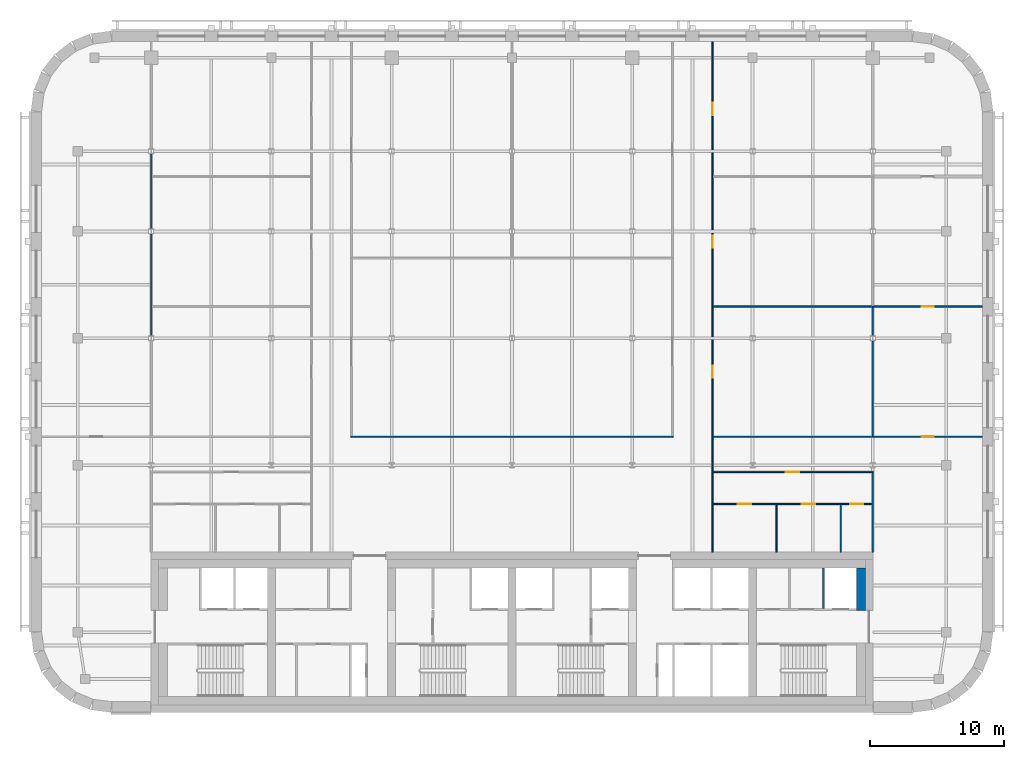
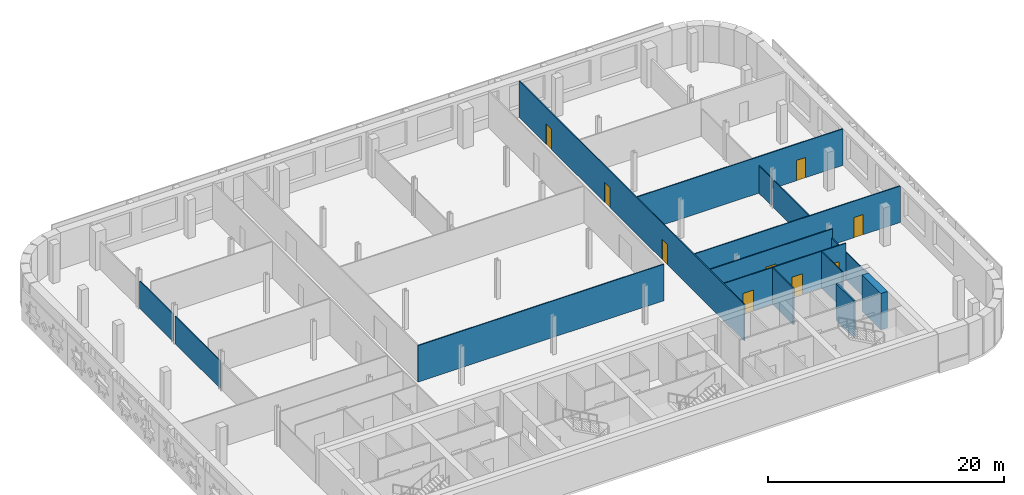
# One storey, part 9 of 16: 15 walls, 9 doors, 9 openings.
"""IFC4 building model written with IfcOpenShell, lengths in metres."""

from ifc_helpers import new_model, si_unit, direction, frame, frame_2d, origin, place, context, subcontext, project, spatial, rectangle, extrude, material, layer, layer_set, type_object, element, fill, save


model = new_model("IFC4")

# Units and contexts
model_context = context("Model", 3, precision=1e-05, world=origin(), true_north=direction((0.0, 1.0)))
body_context = subcontext(model_context, "Body", "Model", "MODEL_VIEW")
ifc_project = project(units=[si_unit("LENGTHUNIT", "METRE"), si_unit("AREAUNIT", "SQUARE_METRE"), si_unit("VOLUMEUNIT", "CUBIC_METRE"), si_unit("PLANEANGLEUNIT", "RADIAN"), si_unit("MASSUNIT", "GRAM", prefix="KILO")], contexts=[model_context])

# Site, building, storey
site_placement = place(None, origin())
site = spatial("IfcSite", under=ifc_project, at=site_placement, CompositionType="ELEMENT")
building_placement = place(site_placement, origin())
building = spatial("IfcBuilding", under=site, at=building_placement, Name="Zellij Exchange Tower", CompositionType="ELEMENT")
storey_placement = place(building_placement, frame((0.0, 0.0, 280.5)))
storey = spatial("IfcBuildingStorey", under=building, at=storey_placement, Name="L66", CompositionType="ELEMENT", Elevation=280.5)

# Walls
ifc_material_1 = material(Name="Concrete C30/37", Category="concrete")
ifc_layer_1 = layer(ifc_material_1, 0.64990234375)
ifc_layer_set_1 = layer_set([ifc_layer_1], Name="Concrete C30/37")
wall_type_1 = type_object("IfcWallType", Name="CORE-LW 650 C30/37", PredefinedType="SHEAR", material=ifc_layer_set_1)
wall_1_placement = place(storey_placement, frame((26.125, -6.375, 0.0), z_axis=(0.0, 0.0, 1.0), x_axis=(0.0, 1.0, 0.0)))
element("IfcWall", 1, at=wall_1_placement, inside=storey, type_object=wall_type_1, Name="Core wall lining end e.1 L66", PredefinedType="SHEAR", context=body_context, shape_type="SweptSolid", body=[
    extrude(rectangle(XDim=3.175048828125, YDim=0.64990234375, at=frame_2d((1.58740234375, 0.0))), origin(), (0.0, 0.0, 1.0), 3.780029296875),
])
ifc_material_2 = material(Name="Gypsum shaft wall system")
ifc_layer_2 = layer(ifc_material_2, 0.14990234375)
ifc_layer_set_2 = layer_set([ifc_layer_2], Name="Gypsum shaft wall system")
wall_type_2 = type_object("IfcWallType", Name="CORE-PW 150 Lift shaft wall", PredefinedType="PARTITIONING", material=ifc_layer_set_2)
wall_2_placement = place(storey_placement, frame((23.324951171875, -6.22509765625, 0.0), z_axis=(0.0, 0.0, 1.0), x_axis=(0.0, 1.0, 0.0)))
element("IfcWall", 2, at=wall_2_placement, inside=storey, type_object=wall_type_2, Name="Lift shaft wall L66", PredefinedType="PARTITIONING", context=body_context, shape_type="SweptSolid", body=[
    extrude(rectangle(XDim=3.025146484375, YDim=0.14990234375, at=frame_2d((1.5126953125, 0.0))), origin(), (0.0, 0.0, 1.0), 3.780029296875),
])

# Wall, openings, doors
ifc_material_3 = material(Name="Gypsum board partition on steel studs", Category="steel")
ifc_layer_3 = layer(ifc_material_3, 0.10009765625)
ifc_layer_set_3 = layer_set([ifc_layer_3], Name="Gypsum board partition on steel studs")
wall_type_3 = type_object("IfcWallType", Name="FIT-PARTITION-100", PredefinedType="PARTITIONING", material=ifc_layer_set_3)
wall_3_placement = place(storey_placement, frame((15.0, -2.0, 0.0), z_axis=(0.0, 0.0, 1.0), x_axis=(0.0, 1.0, 0.0)))
wall_3 = element("IfcWall", 3, at=wall_3_placement, inside=storey, type_object=wall_type_3, Name="FIT-PARTITION-100 005", PredefinedType="PARTITIONING", context=body_context, shape_type="SweptSolid", body=[
    extrude(rectangle(XDim=38.199951171875, YDim=0.10009765625, at=frame_2d((19.10009765625, 0.0))), origin(), (0.0, 0.0, 1.0), 3.780029296875),
])
opening_1_placement = place(wall_3_placement, frame((13.030029296875, 0.0, 0.0)))
opening_1 = element("IfcOpeningElement", 4, at=opening_1_placement, cuts=wall_3, Name="Opening EX3.12", PredefinedType="OPENING", context=body_context, shape_type="SweptSolid", body=[
    extrude(rectangle(XDim=0.89990234375, YDim=2.10009765625, at=frame_2d((0.449951171875, 1.050048828125))), frame((0.0, 0.06201171875, 0.0), z_axis=(0.0, -1.0, 0.0), x_axis=(1.0, 0.0, 0.0)), (0.0, 0.0, 1.0), 0.1240234375),
])
opening_2_placement = place(wall_3_placement, frame((22.77001953125, 0.0, 0.0)))
opening_2 = element("IfcOpeningElement", 5, at=opening_2_placement, cuts=wall_3, Name="Opening EX3.17", PredefinedType="OPENING", context=body_context, shape_type="SweptSolid", body=[
    extrude(rectangle(XDim=0.89990234375, YDim=2.10009765625, at=frame_2d((0.449951171875, 1.050048828125))), frame((0.0, 0.06201171875, 0.0), z_axis=(0.0, -1.0, 0.0), x_axis=(1.0, 0.0, 0.0)), (0.0, 0.0, 1.0), 0.1240234375),
])
opening_3_placement = place(wall_3_placement, frame((32.7099609375, 0.0, 0.0)))
opening_3 = element("IfcOpeningElement", 6, at=opening_3_placement, cuts=wall_3, Name="Opening EX3.22", PredefinedType="OPENING", context=body_context, shape_type="SweptSolid", body=[
    extrude(rectangle(XDim=0.89990234375, YDim=2.10009765625, at=frame_2d((0.449951171875, 1.050048828125))), frame((0.0, 0.06201171875, 0.0), z_axis=(0.0, -1.0, 0.0), x_axis=(1.0, 0.0, 0.0)), (0.0, 0.0, 1.0), 0.1240234375),
])
ifc_material_4 = material(Name="Timber door set", Category="wood")
door_type_1 = type_object("IfcDoorType", Name="FIT-D1-ROOM-900X2100", OperationType="SINGLE_SWING_LEFT", PredefinedType="DOOR", material=ifc_material_4)
door_1_placement = place(opening_1_placement, origin())
door_1 = element("IfcDoor", 7, at=door_1_placement, inside=storey, type_object=door_type_1, Name="Door EX3.12", OperationType="SINGLE_SWING_RIGHT", OverallHeight=2.10009765625, OverallWidth=0.89990234375, PredefinedType="DOOR", context=body_context, shape_type="SweptSolid", body=[
    extrude(rectangle(XDim=0.89990234375, YDim=2.10009765625, at=frame_2d((0.449951171875, 1.050048828125))), frame((0.0, 0.02490234375, 0.0), z_axis=(0.0, -1.0, 0.0), x_axis=(1.0, 0.0, 0.0)), (0.0, 0.0, 1.0), 0.050048828125),
])
fill(opening_1, door_1)
door_2_placement = place(opening_2_placement, origin())
door_2 = element("IfcDoor", 8, at=door_2_placement, inside=storey, type_object=door_type_1, Name="Door EX3.17", OperationType="SINGLE_SWING_RIGHT", OverallHeight=2.10009765625, OverallWidth=0.89990234375, PredefinedType="DOOR", context=body_context, shape_type="SweptSolid", body=[
    extrude(rectangle(XDim=0.89990234375, YDim=2.10009765625, at=frame_2d((0.449951171875, 1.050048828125))), frame((0.0, 0.02490234375, 0.0), z_axis=(0.0, -1.0, 0.0), x_axis=(1.0, 0.0, 0.0)), (0.0, 0.0, 1.0), 0.050048828125),
])
fill(opening_2, door_2)
door_3_placement = place(opening_3_placement, origin())
door_3 = element("IfcDoor", 9, at=door_3_placement, inside=storey, type_object=door_type_1, Name="Door EX3.22", OperationType="SINGLE_SWING_LEFT", OverallHeight=2.10009765625, OverallWidth=0.89990234375, PredefinedType="DOOR", context=body_context, shape_type="SweptSolid", body=[
    extrude(rectangle(XDim=0.89990234375, YDim=2.10009765625, at=frame_2d((0.449951171875, 1.050048828125))), frame((0.0, 0.02490234375, 0.0), z_axis=(0.0, -1.0, 0.0), x_axis=(1.0, 0.0, 0.0)), (0.0, 0.0, 1.0), 0.050048828125),
])
fill(opening_3, door_3)

# Walls
for number, where, z_axis, x_axis, name in (
    (10, (19.800048828125, -2.0, 0.0), (0.0, 0.0, 1.0), (0.0, 1.0, 0.0), "FIT-PARTITION-100 006"),
    (11, (24.60009765625, -2.0, 0.0), (0.0, 0.0, 1.0), (0.0, 1.0, 0.0), "FIT-PARTITION-100 007"),
):
    element("IfcWall", number, at=place(storey_placement, frame(where, z_axis=z_axis, x_axis=x_axis)), inside=storey, type_object=wall_type_3, Name=name, PredefinedType="PARTITIONING", context=body_context, shape_type="SweptSolid", body=[
        extrude(rectangle(XDim=3.550048828125, YDim=0.10009765625, at=frame_2d((1.77490234375, 0.0))), origin(), (0.0, 0.0, 1.0), 3.780029296875),
    ])
wall_4_placement = place(storey_placement, frame((27.0, -2.0, 0.0), z_axis=(0.0, 0.0, 1.0), x_axis=(0.0, 1.0, 0.0)))
element("IfcWall", 12, at=wall_4_placement, inside=storey, type_object=wall_type_3, Name="FIT-PARTITION-100 008", PredefinedType="PARTITIONING", context=body_context, shape_type="SweptSolid", body=[
    extrude(rectangle(XDim=5.949951171875, YDim=0.10009765625, at=frame_2d((2.97509765625, 0.0))), origin(), (0.0, 0.0, 1.0), 2.847900390625),
])

# Wall, openings, doors
wall_5_placement = place(storey_placement, frame((15.050048828125, 1.60009765625, 0.0), z_axis=(0.0, 0.0, 1.0), x_axis=(1.0, 0.0, 0.0)))
wall_5 = element("IfcWall", 13, at=wall_5_placement, inside=storey, type_object=wall_type_3, Name="FIT-PARTITION-100 010", PredefinedType="PARTITIONING", context=body_context, shape_type="SweptSolid", body=[
    extrude(rectangle(XDim=11.89990234375, YDim=0.10009765625, at=frame_2d((5.949951171875, 0.0))), origin(), (0.0, 0.0, 1.0), 3.780029296875),
])
opening_4_placement = place(wall_5_placement, frame((1.85009765625, 0.0, 0.0)))
opening_4 = element("IfcOpeningElement", 14, at=opening_4_placement, cuts=wall_5, Name="Opening EX3.04", PredefinedType="OPENING", context=body_context, shape_type="SweptSolid", body=[
    extrude(rectangle(XDim=1.0, YDim=2.10009765625, at=frame_2d((0.5, 1.050048828125))), frame((0.0, 0.06201171875, 0.0), z_axis=(0.0, -1.0, 0.0), x_axis=(1.0, 0.0, 0.0)), (0.0, 0.0, 1.0), 0.1240234375),
])
opening_5_placement = place(wall_5_placement, frame((6.64990234375, 0.0, 0.0)))
opening_5 = element("IfcOpeningElement", 15, at=opening_5_placement, cuts=wall_5, Name="Opening EX3.05", PredefinedType="OPENING", context=body_context, shape_type="SweptSolid", body=[
    extrude(rectangle(XDim=1.0, YDim=2.10009765625, at=frame_2d((0.5, 1.050048828125))), frame((0.0, 0.06201171875, 0.0), z_axis=(0.0, -1.0, 0.0), x_axis=(1.0, 0.0, 0.0)), (0.0, 0.0, 1.0), 0.1240234375),
])
opening_6_placement = place(wall_5_placement, frame((10.25, 0.0, 0.0)))
opening_6 = element("IfcOpeningElement", 16, at=opening_6_placement, cuts=wall_5, Name="Opening EX3.06", PredefinedType="OPENING", context=body_context, shape_type="SweptSolid", body=[
    extrude(rectangle(XDim=1.0, YDim=2.10009765625, at=frame_2d((0.5, 1.050048828125))), frame((0.0, 0.06201171875, 0.0), z_axis=(0.0, -1.0, 0.0), x_axis=(1.0, 0.0, 0.0)), (0.0, 0.0, 1.0), 0.1240234375),
])
door_type_2 = type_object("IfcDoorType", Name="FIT-D2-WIDE-1000X2100", OperationType="SINGLE_SWING_LEFT", PredefinedType="DOOR", material=ifc_material_4)
door_4_placement = place(opening_4_placement, origin())
door_4 = element("IfcDoor", 17, at=door_4_placement, inside=storey, type_object=door_type_2, Name="Door EX3.04", OperationType="SINGLE_SWING_LEFT", OverallHeight=2.10009765625, OverallWidth=1.0, PredefinedType="DOOR", context=body_context, shape_type="SweptSolid", body=[
    extrude(rectangle(XDim=1.0, YDim=2.10009765625, at=frame_2d((0.5, 1.050048828125))), frame((0.0, 0.02490234375, 0.0), z_axis=(0.0, -1.0, 0.0), x_axis=(1.0, 0.0, 0.0)), (0.0, 0.0, 1.0), 0.050048828125),
])
fill(opening_4, door_4)
door_5_placement = place(opening_5_placement, origin())
door_5 = element("IfcDoor", 18, at=door_5_placement, inside=storey, type_object=door_type_2, Name="Door EX3.05", OperationType="SINGLE_SWING_RIGHT", OverallHeight=2.10009765625, OverallWidth=1.0, PredefinedType="DOOR", context=body_context, shape_type="SweptSolid", body=[
    extrude(rectangle(XDim=1.0, YDim=2.10009765625, at=frame_2d((0.5, 1.050048828125))), frame((0.0, 0.02490234375, 0.0), z_axis=(0.0, -1.0, 0.0), x_axis=(1.0, 0.0, 0.0)), (0.0, 0.0, 1.0), 0.050048828125),
])
fill(opening_5, door_5)
door_6_placement = place(opening_6_placement, origin())
door_6 = element("IfcDoor", 19, at=door_6_placement, inside=storey, type_object=door_type_2, Name="Door EX3.06", OperationType="SINGLE_SWING_LEFT", OverallHeight=2.10009765625, OverallWidth=1.0, PredefinedType="DOOR", context=body_context, shape_type="SweptSolid", body=[
    extrude(rectangle(XDim=1.0, YDim=2.10009765625, at=frame_2d((0.5, 1.050048828125))), frame((0.0, 0.02490234375, 0.0), z_axis=(0.0, -1.0, 0.0), x_axis=(1.0, 0.0, 0.0)), (0.0, 0.0, 1.0), 0.050048828125),
])
fill(opening_6, door_6)

# Wall, opening, door
wall_6_placement = place(storey_placement, frame((15.050048828125, 4.0, 0.0), z_axis=(0.0, 0.0, 1.0), x_axis=(1.0, 0.0, 0.0)))
wall_6 = element("IfcWall", 20, at=wall_6_placement, inside=storey, type_object=wall_type_3, Name="FIT-PARTITION-100 012", PredefinedType="PARTITIONING", context=body_context, shape_type="SweptSolid", body=[
    extrude(rectangle(XDim=12.0, YDim=0.10009765625, at=frame_2d((6.0, 0.0))), origin(), (0.0, 0.0, 1.0), 3.780029296875),
])
opening_7_placement = place(wall_6_placement, frame((5.449951171875, 0.0, 0.0)))
opening_7 = element("IfcOpeningElement", 21, at=opening_7_placement, cuts=wall_6, Name="Opening EX3.08", PredefinedType="OPENING", context=body_context, shape_type="SweptSolid", body=[
    extrude(rectangle(XDim=1.0, YDim=2.10009765625, at=frame_2d((0.5, 1.050048828125))), frame((0.0, 0.06201171875, 0.0), z_axis=(0.0, -1.0, 0.0), x_axis=(1.0, 0.0, 0.0)), (0.0, 0.0, 1.0), 0.1240234375),
])
door_7_placement = place(opening_7_placement, origin())
door_7 = element("IfcDoor", 22, at=door_7_placement, inside=storey, type_object=door_type_2, Name="Door EX3.08", OperationType="SINGLE_SWING_LEFT", OverallHeight=2.10009765625, OverallWidth=1.0, PredefinedType="DOOR", context=body_context, shape_type="SweptSolid", body=[
    extrude(rectangle(XDim=1.0, YDim=2.10009765625, at=frame_2d((0.5, 1.050048828125))), frame((0.0, 0.02490234375, 0.0), z_axis=(0.0, -1.0, 0.0), x_axis=(1.0, 0.0, 0.0)), (0.0, 0.0, 1.0), 0.050048828125),
])
fill(opening_7, door_7)

# Walls
wall_7_placement = place(storey_placement, frame((-27.0, 14.186767578125, 0.0), z_axis=(0.0, 0.0, 1.0), x_axis=(0.0, 1.0, 0.0)))
element("IfcWall", 23, at=wall_7_placement, inside=storey, type_object=wall_type_3, Name="FIT-PARTITION-100 015", PredefinedType="PARTITIONING", context=body_context, shape_type="SweptSolid", body=[
    extrude(rectangle(XDim=7.62646484375, YDim=0.10009765625, at=frame_2d((3.813232421875, 0.0))), origin(), (0.0, 0.0, 1.0), 2.847900390625),
])
wall_8_placement = place(storey_placement, frame((-27.0, 22.186767578125, 0.0), z_axis=(0.0, 0.0, 1.0), x_axis=(0.0, 1.0, 0.0)))
element("IfcWall", 24, at=wall_8_placement, inside=storey, type_object=wall_type_3, Name="FIT-PARTITION-100 016", PredefinedType="PARTITIONING", context=body_context, shape_type="SweptSolid", body=[
    extrude(rectangle(XDim=5.62646484375, YDim=0.10009765625, at=frame_2d((2.813232421875, 0.0))), origin(), (0.0, 0.0, 1.0), 2.847900390625),
])
wall_9_placement = place(storey_placement, frame((-12.050048828125, 6.6298828125, 0.0), z_axis=(0.0, 0.0, 1.0), x_axis=(1.0, 0.0, 0.0)))
element("IfcWall", 25, at=wall_9_placement, inside=storey, type_object=wall_type_3, Name="FIT-PARTITION-100 019", PredefinedType="PARTITIONING", context=body_context, shape_type="SweptSolid", body=[
    extrude(rectangle(XDim=24.10009765625, YDim=0.10009765625, at=frame_2d((12.050048828125, 0.0))), origin(), (0.0, 0.0, 1.0), 3.780029296875),
])

# Wall, opening, door
wall_10_placement = place(storey_placement, frame((15.050048828125, 6.6298828125, 0.0), z_axis=(0.0, 0.0, 1.0), x_axis=(1.0, 0.0, 0.0)))
wall_10 = element("IfcWall", 26, at=wall_10_placement, inside=storey, type_object=wall_type_3, Name="FIT-PARTITION-100 022", PredefinedType="PARTITIONING", context=body_context, shape_type="SweptSolid", body=[
    extrude(rectangle(XDim=20.14990234375, YDim=0.10009765625, at=frame_2d((10.074951171875, 0.0))), origin(), (0.0, 0.0, 1.0), 3.780029296875),
])
opening_8_placement = place(wall_10_placement, frame((15.60009765625, 0.0, 0.0)))
opening_8 = element("IfcOpeningElement", 27, at=opening_8_placement, cuts=wall_10, Name="Opening EX3.10", PredefinedType="OPENING", context=body_context, shape_type="SweptSolid", body=[
    extrude(rectangle(XDim=0.89990234375, YDim=2.10009765625, at=frame_2d((0.449951171875, 1.050048828125))), frame((0.0, 0.06201171875, 0.0), z_axis=(0.0, -1.0, 0.0), x_axis=(1.0, 0.0, 0.0)), (0.0, 0.0, 1.0), 0.1240234375),
])
door_8_placement = place(opening_8_placement, origin())
door_8 = element("IfcDoor", 28, at=door_8_placement, inside=storey, type_object=door_type_1, Name="Door EX3.10", OperationType="SINGLE_SWING_LEFT", OverallHeight=2.10009765625, OverallWidth=0.89990234375, PredefinedType="DOOR", context=body_context, shape_type="SweptSolid", body=[
    extrude(rectangle(XDim=0.89990234375, YDim=2.10009765625, at=frame_2d((0.449951171875, 1.050048828125))), frame((0.0, 0.02490234375, 0.0), z_axis=(0.0, -1.0, 0.0), x_axis=(1.0, 0.0, 0.0)), (0.0, 0.0, 1.0), 0.050048828125),
])
fill(opening_8, door_8)

# Walls
wall_11_placement = place(storey_placement, frame((27.0, 6.679931640625, 0.0), z_axis=(0.0, 0.0, 1.0), x_axis=(0.0, 1.0, 0.0)))
element("IfcWall", 29, at=wall_11_placement, inside=storey, type_object=wall_type_3, Name="FIT-PARTITION-100 023", PredefinedType="PARTITIONING", context=body_context, shape_type="SweptSolid", body=[
    extrude(rectangle(XDim=7.13330078125, YDim=0.10009765625, at=frame_2d((3.566650390625, 0.0))), origin(), (0.0, 0.0, 1.0), 2.847900390625),
])
wall_12_placement = place(storey_placement, frame((27.0, 14.186767578125, 0.0), z_axis=(0.0, 0.0, 1.0), x_axis=(0.0, 1.0, 0.0)))
element("IfcWall", 30, at=wall_12_placement, inside=storey, type_object=wall_type_3, Name="FIT-PARTITION-100 024", PredefinedType="PARTITIONING", context=body_context, shape_type="SweptSolid", body=[
    extrude(rectangle(XDim=2.13330078125, YDim=0.10009765625, at=frame_2d((1.066650390625, 0.0))), origin(), (0.0, 0.0, 1.0), 2.847900390625),
])

# Wall, opening, door
wall_13_placement = place(storey_placement, frame((15.050048828125, 16.3701171875, 0.0), z_axis=(0.0, 0.0, 1.0), x_axis=(1.0, 0.0, 0.0)))
wall_13 = element("IfcWall", 31, at=wall_13_placement, inside=storey, type_object=wall_type_3, Name="FIT-PARTITION-100 026", PredefinedType="PARTITIONING", context=body_context, shape_type="SweptSolid", body=[
    extrude(rectangle(XDim=20.14990234375, YDim=0.10009765625, at=frame_2d((10.074951171875, 0.0))), origin(), (0.0, 0.0, 1.0), 3.780029296875),
])
opening_9_placement = place(wall_13_placement, frame((15.60009765625, 0.0, 0.0)))
opening_9 = element("IfcOpeningElement", 32, at=opening_9_placement, cuts=wall_13, Name="Opening EX3.15", PredefinedType="OPENING", context=body_context, shape_type="SweptSolid", body=[
    extrude(rectangle(XDim=0.89990234375, YDim=2.10009765625, at=frame_2d((0.449951171875, 1.050048828125))), frame((0.0, 0.06201171875, 0.0), z_axis=(0.0, -1.0, 0.0), x_axis=(1.0, 0.0, 0.0)), (0.0, 0.0, 1.0), 0.1240234375),
])
door_9_placement = place(opening_9_placement, origin())
door_9 = element("IfcDoor", 33, at=door_9_placement, inside=storey, type_object=door_type_1, Name="Door EX3.15", OperationType="SINGLE_SWING_LEFT", OverallHeight=2.10009765625, OverallWidth=0.89990234375, PredefinedType="DOOR", context=body_context, shape_type="SweptSolid", body=[
    extrude(rectangle(XDim=0.89990234375, YDim=2.10009765625, at=frame_2d((0.449951171875, 1.050048828125))), frame((0.0, 0.02490234375, 0.0), z_axis=(0.0, -1.0, 0.0), x_axis=(1.0, 0.0, 0.0)), (0.0, 0.0, 1.0), 0.050048828125),
])
fill(opening_9, door_9)

save(model, "model.ifc")
